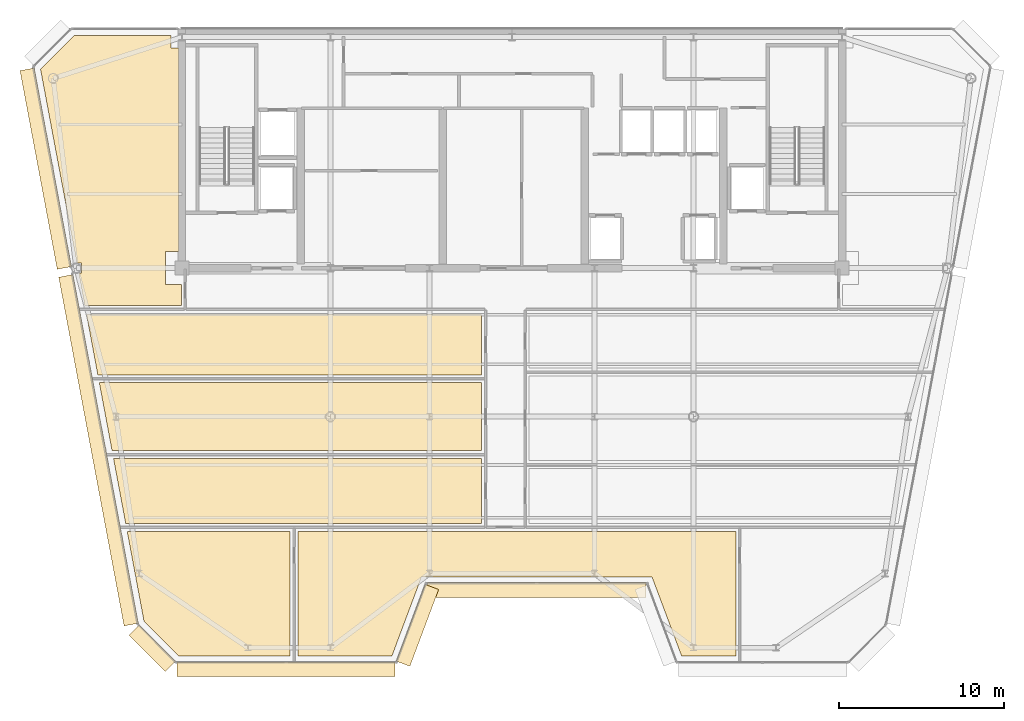
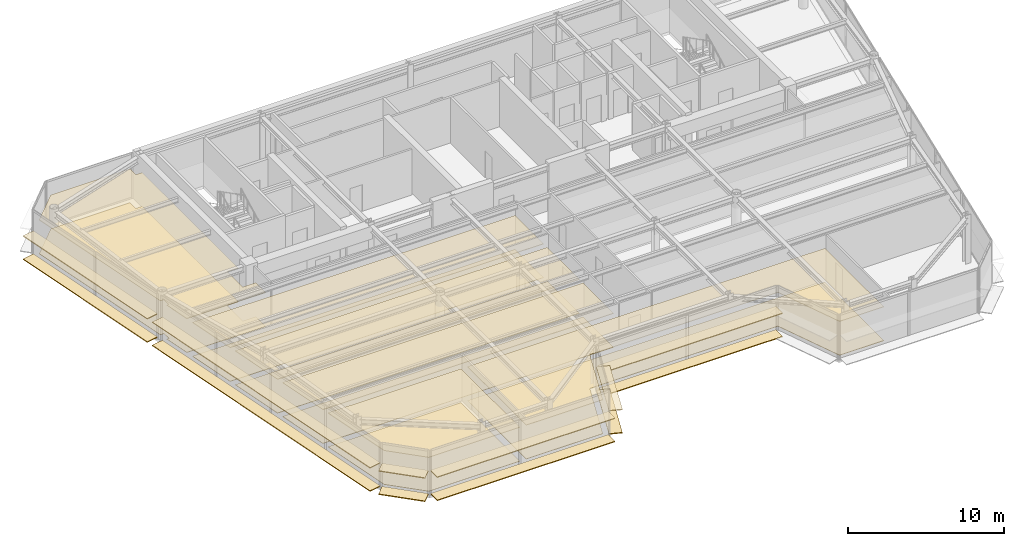
# One storey, part 14 of 20: 24 coverings.
"""IFC4 building model written with IfcOpenShell, lengths in metres."""

from ifc_helpers import new_model, si_unit, direction, frame, origin, origin_2d, place, context, subcontext, project, spatial, polyline, rectangle, outline, extrude, source, transform, mapped, material, layer, layer_set, type_object, element, save


model = new_model("IFC4")

# Units and contexts
model_context = context("Model", 3, precision=1e-05, world=origin(), true_north=direction((0.0, 1.0)))
body_context = subcontext(model_context, "Body", "Model", "MODEL_VIEW")
ifc_project = project(units=[si_unit("LENGTHUNIT", "METRE"), si_unit("AREAUNIT", "SQUARE_METRE"), si_unit("VOLUMEUNIT", "CUBIC_METRE"), si_unit("PLANEANGLEUNIT", "RADIAN"), si_unit("MASSUNIT", "GRAM", prefix="KILO")], contexts=[model_context])

# Site, building, storey
site_placement = place(None, origin())
site = spatial("IfcSite", under=ifc_project, at=site_placement, CompositionType="ELEMENT")
building_placement = place(site_placement, origin())
building = spatial("IfcBuilding", under=site, at=building_placement, Name="Vaeldorn Concourse Tower", CompositionType="ELEMENT")
storey_placement = place(building_placement, frame((0.0, 0.0, 291.60009765625)))
storey = spatial("IfcBuildingStorey", under=building, at=storey_placement, Name="L75", CompositionType="ELEMENT", Elevation=291.60009765625)

# Coverings
ifc_material_1 = material(Name="Acoustic Mineral Fibre Board", Category="gypsum")
ifc_layer_1 = layer(ifc_material_1, 0.0400390625)
ifc_layer_set_1 = layer_set([ifc_layer_1], Name="Acoustic Mineral Fibre Board")
covering_type_1 = type_object("IfcCoveringType", Name="COV-CEIL-ACOUSTIC", PredefinedType="CEILING", material=ifc_layer_set_1)
covering_1_placement = place(storey_placement, frame((0.0, 0.0, 2.64990234375)))
element("IfcCovering", 1, at=covering_1_placement, inside=storey, type_object=covering_type_1, Name="Suspended Acoustic Ceiling L75-3", PredefinedType="CEILING", context=body_context, shape_type="SweptSolid", body=[
    extrude(outline(polyline([(7.4658203125, 50.60009765625), (13.340087890625, 50.60009765625), (13.340087890625, 49.840087890625), (13.820068359375, 49.840087890625), (13.820068359375, 37.5), (13.0, 37.5), (13.0, 35.5), (13.9599609375, 35.5), (13.9599609375, 34.239990234375), (8.11767578125, 34.239990234375), (7.751220703125, 36.195068359375), (7.905029296875, 36.195068359375), (7.905029296875, 36.804931640625), (7.63671875, 36.804931640625), (5.431884765625, 48.56640625), (7.4658203125, 50.60009765625)])), origin(), (0.0, 0.0, 1.0), 0.0400390625),
])
covering_2_placement = place(storey_placement, frame((0.0, 0.0, 2.64990234375)))
element("IfcCovering", 2, at=covering_2_placement, inside=storey, type_object=covering_type_1, Name="Suspended Acoustic Ceiling L75-5", PredefinedType="CEILING", context=body_context, shape_type="SweptSolid", body=[
    extrude(outline(polyline([(32.159912109375, 24.9599609375), (32.159912109375, 21.0400390625), (10.592041015625, 21.0400390625), (9.857177734375, 24.9599609375), (32.159912109375, 24.9599609375)])), origin(), (0.0, 0.0, 1.0), 0.0400390625),
])
covering_3_placement = place(storey_placement, frame((0.0, 0.0, 2.64990234375)))
element("IfcCovering", 3, at=covering_3_placement, inside=storey, type_object=covering_type_1, Name="Suspended Acoustic Ceiling L75-6", PredefinedType="CEILING", context=body_context, shape_type="SweptSolid", body=[
    extrude(outline(polyline([(32.159912109375, 29.56005859375), (32.159912109375, 25.43994140625), (9.76708984375, 25.43994140625), (8.994873046875, 29.56005859375), (32.159912109375, 29.56005859375)])), origin(), (0.0, 0.0, 1.0), 0.0400390625),
])
covering_4_placement = place(storey_placement, frame((0.0, 0.0, 2.64990234375)))
element("IfcCovering", 4, at=covering_4_placement, inside=storey, type_object=covering_type_1, Name="Suspended Acoustic Ceiling L75-7", PredefinedType="CEILING", context=body_context, shape_type="SweptSolid", body=[
    extrude(outline(polyline([(32.159912109375, 33.699951171875), (32.159912109375, 30.0400390625), (8.90478515625, 30.0400390625), (8.21875, 33.699951171875), (32.159912109375, 33.699951171875)])), origin(), (0.0, 0.0, 1.0), 0.0400390625),
])
covering_5_placement = place(storey_placement, frame((0.0, 0.0, 2.64990234375)))
element("IfcCovering", 5, at=covering_5_placement, inside=storey, type_object=covering_type_1, Name="Suspended Acoustic Ceiling L75-11", PredefinedType="CEILING", context=body_context, shape_type="SweptSolid", body=[
    extrude(outline(polyline([(20.56005859375, 20.56005859375), (20.56005859375, 13.0), (13.8017578125, 13.0), (11.706298828125, 15.09521484375), (11.687255859375, 15.197509765625), (10.681884765625, 20.56005859375), (20.56005859375, 20.56005859375)])), origin(), (0.0, 0.0, 1.0), 0.0400390625),
])
covering_6_placement = place(storey_placement, frame((0.0, 0.0, 2.64990234375)))
element("IfcCovering", 6, at=covering_6_placement, inside=storey, type_object=covering_type_1, Name="Suspended Acoustic Ceiling L75-12", PredefinedType="CEILING", context=body_context, shape_type="SweptSolid", body=[
    extrude(outline(polyline([(26.722900390625, 13.0), (21.0400390625, 13.0), (21.0400390625, 20.56005859375), (47.56005859375, 20.56005859375), (47.56005859375, 13.0), (44.277099609375, 13.0), (42.477294921875, 17.800048828125), (28.522705078125, 17.800048828125), (26.722900390625, 13.0)])), origin(), (0.0, 0.0, 1.0), 0.0400390625),
])
ifc_material_2 = material(Name="Honed Limestone Terrazzo Flooring", Category="masonry")
ifc_layer_2 = layer(ifc_material_2, 0.0400390625)
ifc_layer_set_2 = layer_set([ifc_layer_2], Name="Honed Limestone Terrazzo Flooring")
covering_type_2 = type_object("IfcCoveringType", Name="COV-FLOOR-STONE", PredefinedType="FLOORING", material=ifc_layer_set_2)
covering_7_placement = place(storey_placement, origin())
element("IfcCovering", 7, at=covering_7_placement, inside=storey, type_object=covering_type_2, Name="Floor Finish Covering L75-3", PredefinedType="FLOORING", context=body_context, shape_type="SweptSolid", body=[
    extrude(outline(polyline([(7.4658203125, 50.60009765625), (13.340087890625, 50.60009765625), (13.340087890625, 49.840087890625), (13.820068359375, 49.840087890625), (13.820068359375, 37.5), (13.0, 37.5), (13.0, 35.5), (13.9599609375, 35.5), (13.9599609375, 34.239990234375), (8.11767578125, 34.239990234375), (7.751220703125, 36.195068359375), (7.905029296875, 36.195068359375), (7.905029296875, 36.804931640625), (7.63671875, 36.804931640625), (5.431884765625, 48.56640625), (7.4658203125, 50.60009765625)])), origin(), (0.0, 0.0, 1.0), 0.02978515625),
])
covering_8_placement = place(storey_placement, origin())
element("IfcCovering", 8, at=covering_8_placement, inside=storey, type_object=covering_type_2, Name="Floor Finish Covering L75-5", PredefinedType="FLOORING", context=body_context, shape_type="SweptSolid", body=[
    extrude(outline(polyline([(32.159912109375, 24.9599609375), (32.159912109375, 21.0400390625), (10.592041015625, 21.0400390625), (9.857177734375, 24.9599609375), (32.159912109375, 24.9599609375)])), origin(), (0.0, 0.0, 1.0), 0.02978515625),
])
covering_9_placement = place(storey_placement, origin())
element("IfcCovering", 9, at=covering_9_placement, inside=storey, type_object=covering_type_2, Name="Floor Finish Covering L75-6", PredefinedType="FLOORING", context=body_context, shape_type="SweptSolid", body=[
    extrude(outline(polyline([(32.159912109375, 29.56005859375), (32.159912109375, 25.43994140625), (9.76708984375, 25.43994140625), (8.994873046875, 29.56005859375), (32.159912109375, 29.56005859375)])), origin(), (0.0, 0.0, 1.0), 0.02978515625),
])
covering_10_placement = place(storey_placement, origin())
element("IfcCovering", 10, at=covering_10_placement, inside=storey, type_object=covering_type_2, Name="Floor Finish Covering L75-7", PredefinedType="FLOORING", context=body_context, shape_type="SweptSolid", body=[
    extrude(outline(polyline([(32.159912109375, 33.699951171875), (32.159912109375, 30.0400390625), (8.90478515625, 30.0400390625), (8.21875, 33.699951171875), (32.159912109375, 33.699951171875)])), origin(), (0.0, 0.0, 1.0), 0.02978515625),
])
covering_11_placement = place(storey_placement, origin())
element("IfcCovering", 11, at=covering_11_placement, inside=storey, type_object=covering_type_2, Name="Floor Finish Covering L75-11", PredefinedType="FLOORING", context=body_context, shape_type="SweptSolid", body=[
    extrude(outline(polyline([(20.56005859375, 20.56005859375), (20.56005859375, 13.0), (13.8017578125, 13.0), (11.706298828125, 15.09521484375), (11.687255859375, 15.197509765625), (10.681884765625, 20.56005859375), (20.56005859375, 20.56005859375)])), origin(), (0.0, 0.0, 1.0), 0.02978515625),
])
covering_12_placement = place(storey_placement, origin())
element("IfcCovering", 12, at=covering_12_placement, inside=storey, type_object=covering_type_2, Name="Floor Finish Covering L75-12", PredefinedType="FLOORING", context=body_context, shape_type="SweptSolid", body=[
    extrude(outline(polyline([(26.722900390625, 13.0), (21.0400390625, 13.0), (21.0400390625, 20.56005859375), (47.56005859375, 20.56005859375), (47.56005859375, 13.0), (44.277099609375, 13.0), (42.477294921875, 17.800048828125), (28.522705078125, 17.800048828125), (26.722900390625, 13.0)])), origin(), (0.0, 0.0, 1.0), 0.02978515625),
])
ifc_material_3 = material(Name="Anodised Bronze Aluminium", Category="aluminium")
ifc_layer_3 = layer(ifc_material_3, 0.06494140625)
ifc_layer_set_3 = layer_set([ifc_layer_3], Name="Anodised Bronze Aluminium")
covering_type_3 = type_object("IfcCoveringType", Name="SD-BRONZE-SUNSHADE", PredefinedType="USERDEFINED", material=ifc_layer_set_3)
shared_shape_1 = source(origin(), body_context, "Body", "SweptSolid", [
    extrude(rectangle(XDim=4.96630859375, YDim=0.8798828125, at=origin_2d()), origin(), (0.0, 0.0, 1.0), 0.06494140625),
])
for number, where, z_axis, x_axis, name in (
    (13, (28.2744140625, 14.859619140625, 0.04736328125), (0.0, 0.0, 1.0), (0.351122702609, 0.936329454686, 0.0), "Horizontal Bronze Sunshade L75-E02.1.1"),
    (14, (28.2744140625, 14.859619140625, 1.867431640625), (0.0, 0.0, 1.0), (0.351122702609, 0.936329454686, 0.0), "Horizontal Bronze Sunshade L75-E02.1.2"),
):
    element("IfcCovering", number, at=place(storey_placement, frame(where, z_axis=z_axis, x_axis=x_axis)), inside=storey, type_object=covering_type_3, Name=name, ObjectType="SUNSHADE", PredefinedType="USERDEFINED", context=body_context, shape_type="MappedRepresentation", body=[
        mapped(shared_shape_1, transform((0.0, 0.0, 0.0), scale=1.0)),
    ])
shared_shape_2 = source(origin(), body_context, "Body", "SweptSolid", [
    extrude(rectangle(XDim=13.239990234375, YDim=0.8798828125, at=origin_2d()), origin(), (0.0, 0.0, 1.0), 0.06494140625),
])
for number, where, z_axis, x_axis, name in (
    (15, (35.5, 17.0, 0.04736328125), (0.0, 0.0, 1.0), (1.0, 0.0, 0.0), "Horizontal Bronze Sunshade L75-E03.1.1"),
    (16, (35.5, 17.0, 1.867431640625), (0.0, 0.0, 1.0), (1.0, 0.0, 0.0), "Horizontal Bronze Sunshade L75-E03.1.2"),
):
    element("IfcCovering", number, at=place(storey_placement, frame(where, z_axis=z_axis, x_axis=x_axis)), inside=storey, type_object=covering_type_3, Name=name, ObjectType="SUNSHADE", PredefinedType="USERDEFINED", context=body_context, shape_type="MappedRepresentation", body=[
        mapped(shared_shape_2, transform((0.0, 0.0, 0.0), scale=1.0)),
    ])
shared_shape_3 = source(origin(), body_context, "Body", "SweptSolid", [
    extrude(rectangle(XDim=3.0927734375, YDim=0.8798828125, at=origin_2d()), origin(), (0.0, 0.0, 1.0), 0.06494140625),
])
for number, where, z_axis, x_axis, name in (
    (17, (12.203125, 13.46728515625, 0.04736328125), (0.0, 0.0, 1.0), (0.707106781187, -0.707106781187, 0.0), "Horizontal Bronze Sunshade L75-E12.1.1"),
    (18, (12.203125, 13.46728515625, 1.867431640625), (0.0, 0.0, 1.0), (0.707106781187, -0.707106781187, 0.0), "Horizontal Bronze Sunshade L75-E12.1.2"),
):
    element("IfcCovering", number, at=place(storey_placement, frame(where, z_axis=z_axis, x_axis=x_axis)), inside=storey, type_object=covering_type_3, Name=name, ObjectType="SUNSHADE", PredefinedType="USERDEFINED", context=body_context, shape_type="MappedRepresentation", body=[
        mapped(shared_shape_3, transform((0.0, 0.0, 0.0), scale=1.0)),
    ])
shared_shape_4 = source(origin(), body_context, "Body", "SweptSolid", [
    extrude(rectangle(XDim=21.49560546875, YDim=0.8798828125, at=origin_2d()), origin(), (0.0, 0.0, 1.0), 0.06494140625),
])
for number, where, z_axis, x_axis, name in (
    (19, (8.94775390625, 25.46875, 0.04736328125), (0.0, 0.0, 1.0), (0.1842429853, -0.98288072642, 0.0), "Horizontal Bronze Sunshade L75-E11.2.1"),
    (20, (8.94775390625, 25.46875, 1.867431640625), (0.0, 0.0, 1.0), (0.1842429853, -0.98288072642, 0.0), "Horizontal Bronze Sunshade L75-E11.2.2"),
):
    element("IfcCovering", number, at=place(storey_placement, frame(where, z_axis=z_axis, x_axis=x_axis)), inside=storey, type_object=covering_type_3, Name=name, ObjectType="SUNSHADE", PredefinedType="USERDEFINED", context=body_context, shape_type="MappedRepresentation", body=[
        mapped(shared_shape_4, transform((0.0, 0.0, 0.0), scale=1.0)),
    ])
shared_shape_5 = source(origin(), body_context, "Body", "SweptSolid", [
    extrude(rectangle(XDim=12.241943359375, YDim=0.8798828125, at=origin_2d()), origin(), (0.0, 0.0, 1.0), 0.06494140625),
])
for number, where, z_axis, x_axis, name in (
    (21, (5.749267578125, 42.531494140625, 0.04736328125), (0.0, 0.0, 1.0), (0.1842429853, -0.98288072642, 0.0), "Horizontal Bronze Sunshade L75-E11.1.1"),
    (22, (5.749267578125, 42.531494140625, 1.867431640625), (0.0, 0.0, 1.0), (0.1842429853, -0.98288072642, 0.0), "Horizontal Bronze Sunshade L75-E11.1.2"),
):
    element("IfcCovering", number, at=place(storey_placement, frame(where, z_axis=z_axis, x_axis=x_axis)), inside=storey, type_object=covering_type_3, Name=name, ObjectType="SUNSHADE", PredefinedType="USERDEFINED", context=body_context, shape_type="MappedRepresentation", body=[
        mapped(shared_shape_5, transform((0.0, 0.0, 0.0), scale=1.0)),
    ])
shared_shape_6 = source(origin(), body_context, "Body", "SweptSolid", [
    extrude(rectangle(XDim=13.2041015625, YDim=0.8798828125, at=origin_2d()), origin(), (0.0, 0.0, 1.0), 0.06494140625),
])
for number, where, z_axis, x_axis, name in (
    (23, (20.318115234375, 12.199951171875, 0.04736328125), (0.0, 0.0, 1.0), (1.0, 0.0, 0.0), "Horizontal Bronze Sunshade L75-E01.1.1"),
    (24, (20.318115234375, 12.199951171875, 1.867431640625), (0.0, 0.0, 1.0), (1.0, 0.0, 0.0), "Horizontal Bronze Sunshade L75-E01.1.2"),
):
    element("IfcCovering", number, at=place(storey_placement, frame(where, z_axis=z_axis, x_axis=x_axis)), inside=storey, type_object=covering_type_3, Name=name, ObjectType="SUNSHADE", PredefinedType="USERDEFINED", context=body_context, shape_type="MappedRepresentation", body=[
        mapped(shared_shape_6, transform((0.0, 0.0, 0.0), scale=1.0)),
    ])

save(model, "model.ifc")
